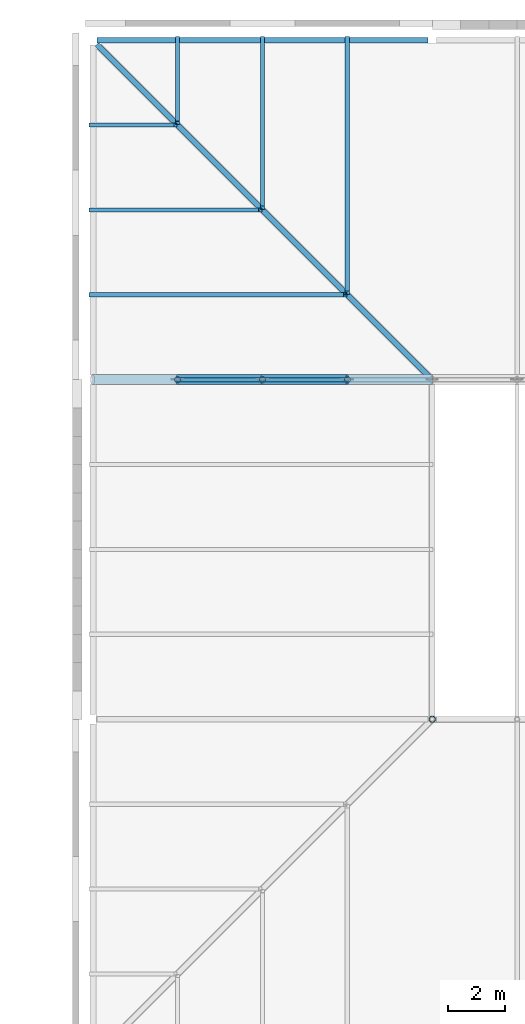
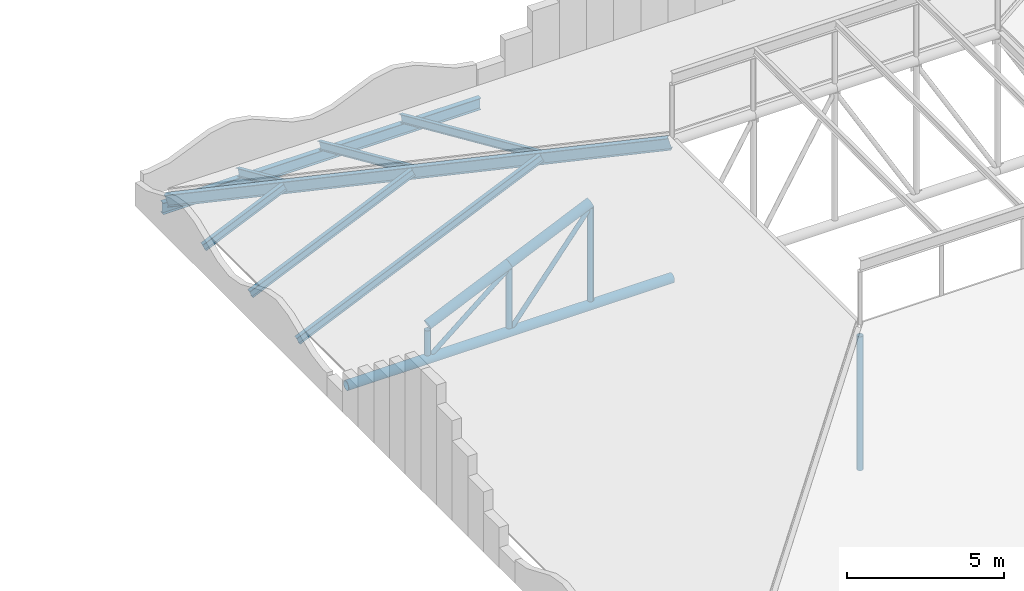
# One storey, part 228 of 321: 15 members, 2 beams.
"""IFC4 building model written with IfcOpenShell, lengths in metres."""

import ifcopenshell
import ifcopenshell.guid

model = None  # the IFC model being written
_history = None  # IfcOwnerHistory: only IFC2X3 demands one
_inside = {}  # id of a spatial element -> (the spatial element, [elements in it])
_under = {}  # id of a project, library or spatial element -> (it, [spatial elements below it])
_declared = {}  # id of a project -> (the project, [libraries it declares])
_typed = {}  # id of a type object -> (the type object, [elements of that type])
_made_of = {}  # id of a material, layer set ... -> (it, [elements and type objects made of it])


def new_model(schema):
    """Start an empty IFC model of exactly this schema.

    Asked for "IFC4X3", IfcOpenShell would pick the latest addendum, in which some entities
    have other attributes; the version numbers below select the first issue.
    IFC2X3 requires an IfcOwnerHistory on every rooted entity: one is made here for all.
    """
    global model, _history
    if schema == "IFC4X3":
        model = ifcopenshell.file(schema_version=(4, 3, 0, 0))
    else:
        model = ifcopenshell.file(schema=schema)
    _inside.clear()
    _under.clear()
    _declared.clear()
    _typed.clear()
    _made_of.clear()
    _history = None
    if model.schema == "IFC2X3":
        org = make("IfcOrganization", Name="unknown")
        user = make(
            "IfcPersonAndOrganization",
            ThePerson=make("IfcPerson", FamilyName="unknown"),
            TheOrganization=org,
        )
        app = make(
            "IfcApplication",
            ApplicationDeveloper=org,
            Version="unknown",
            ApplicationFullName="unknown",
            ApplicationIdentifier="unknown",
        )
        _history = make(
            "IfcOwnerHistory",
            OwningUser=user,
            OwningApplication=app,
            ChangeAction="ADDED",
            CreationDate=0,
        )
    return model


def make(cls, **values):
    """One entity of the class cls with the attributes given. An attribute that is None is left unset."""
    return model.create_entity(
        cls, **{name: value for name, value in values.items() if value is not None}
    )


def rooted(cls, **values):
    """An entity with a GlobalId (a new one), such as an element, a storey or a relation."""
    return make(cls, GlobalId=ifcopenshell.guid.new(), OwnerHistory=_history, **values)


def si_unit(unit_type, name, prefix=None):
    """IfcSIUnit, for example si_unit("LENGTHUNIT", "METRE", prefix="MILLI")."""
    return make("IfcSIUnit", UnitType=unit_type, Prefix=prefix, Name=name)


def assignment(units):
    """IfcUnitAssignment: the units of a project."""
    return None if units is None else make("IfcUnitAssignment", Units=units)


def point(xyz):
    """IfcCartesianPoint."""
    return None if xyz is None else make("IfcCartesianPoint", Coordinates=xyz)


def direction(xyz):
    """IfcDirection."""
    return None if xyz is None else make("IfcDirection", DirectionRatios=xyz)


def frame(location, z_axis=None, x_axis=None):
    """IfcAxis2Placement3D, a coordinate frame: its origin and axes. An axis left out is left unset."""
    return make(
        "IfcAxis2Placement3D",
        Location=point(location),
        Axis=direction(z_axis),
        RefDirection=direction(x_axis),
    )


def frame_2d(location, x_axis=None):
    """IfcAxis2Placement2D, a coordinate frame in the plane: its origin and x axis."""
    return make(
        "IfcAxis2Placement2D", Location=point(location), RefDirection=direction(x_axis)
    )


def origin():
    """The frame at (0, 0, 0) with its axes left unset."""
    return frame((0.0, 0.0, 0.0))


def origin_2d():
    """The frame at (0, 0) in the plane with its x axis left unset."""
    return frame_2d((0.0, 0.0))


def place(relative_to, where):
    """IfcLocalPlacement: puts the frame where relative to a parent placement (None: the world)."""
    return make(
        "IfcLocalPlacement", PlacementRelTo=relative_to, RelativePlacement=where
    )


def context(
    kind, dimensions, precision=None, world=None, true_north=None, identifier=None
):
    """IfcGeometricRepresentationContext, for example the 3D "Model" context."""
    return make(
        "IfcGeometricRepresentationContext",
        ContextIdentifier=identifier,
        ContextType=kind,
        CoordinateSpaceDimension=dimensions,
        Precision=precision,
        WorldCoordinateSystem=world,
        TrueNorth=true_north,
    )


def subcontext(parent, identifier, kind, view, scale=None):
    """IfcGeometricRepresentationSubContext, for example "Body" below "Model"."""
    return make(
        "IfcGeometricRepresentationSubContext",
        ContextIdentifier=identifier,
        ContextType=kind,
        ParentContext=parent,
        TargetScale=scale,
        TargetView=view,
    )


def project(units=None, contexts=None):
    """IfcProject with its units and contexts."""
    return rooted(
        "IfcProject",
        Name="project",
        RepresentationContexts=contexts,
        UnitsInContext=assignment(units),
    )


def spatial(cls, under=None, at=None, **own):
    """A site, building, storey or space (cls), placed at a placement, below another one or the project."""
    s = rooted(cls, ObjectPlacement=at, **own)
    if under is not None:
        _under.setdefault(under.id(), (under, []))[1].append(s)
    return s


def profile(cls, at=None, kind="AREA", **sizes):
    """A parametric profile (cls). Its sizes go by their IFC names, for example OverallWidth=200.0."""
    return make(cls, ProfileType=kind, Position=at, **sizes)


def hollow_circle(**sizes):
    """IfcCircleHollowProfileDef."""
    return profile("IfcCircleHollowProfileDef", **sizes)


def i_section(**sizes):
    """IfcIShapeProfileDef."""
    return profile("IfcIShapeProfileDef", **sizes)


def extrude(swept, where, along, depth):
    """IfcExtrudedAreaSolid: the profile swept, set in the frame where, extruded along a direction by depth."""
    return make(
        "IfcExtrudedAreaSolid",
        SweptArea=swept,
        Position=where,
        ExtrudedDirection=direction(along),
        Depth=depth,
    )


def shape(context_of_items, identifier, shape_type, items):
    """IfcShapeRepresentation: the items that make up one representation, for example the "Body"."""
    return make(
        "IfcShapeRepresentation",
        ContextOfItems=context_of_items,
        RepresentationIdentifier=identifier,
        RepresentationType=shape_type,
        Items=items,
    )


def material(Name=None, Category=None):
    """IfcMaterial."""
    return make("IfcMaterial", Name=Name, Category=Category)


def material_profile(
    of_material, cross_section, Name=None, Category=None, Priority=None
):
    """IfcMaterialProfile: a cross section and its material."""
    return make(
        "IfcMaterialProfile",
        Name=Name,
        Material=of_material,
        Profile=cross_section,
        Priority=Priority,
        Category=Category,
    )


def profile_set(profiles, Name=None, composite=None):
    """IfcMaterialProfileSet."""
    return make(
        "IfcMaterialProfileSet",
        Name=Name,
        MaterialProfiles=profiles,
        CompositeProfile=composite,
    )


def made_of(thing, what):
    """Note that an element or type object is made of a material, layer set ...; save() writes the relation."""
    if what is not None:
        _made_of.setdefault(what.id(), (what, []))[1].append(thing)
    return thing


def type_object(cls, material=None, **own):
    """A type object (cls), such as IfcWallType, which elements share."""
    return made_of(rooted(cls, **own), material)


def element(
    cls,
    number,
    at=None,
    inside=None,
    cuts=None,
    type_object=None,
    material=None,
    context=None,
    identifier="Body",
    shape_type=None,
    held_by="IfcProductDefinitionShape",
    body=None,
    shapes=None,
    **own,
):
    """One element of the class cls, such as IfcWall. Its Tag is "e" and its number.

    at: its placement. inside: the storey or other place that contains it. cuts: it is an
    opening in that element (IfcRelVoidsElement). A single representation is given by context,
    identifier, shape_type and body (its items); several are given by shapes. held_by: the class
    of the entity that holds the representations. save() writes the other relations.
    """
    e = rooted(cls, Tag="e%d" % number, ObjectPlacement=at, **own)
    if body is not None:
        shapes = [shape(context, identifier, shape_type, body)]
    if shapes is not None:
        e.Representation = make(held_by, Representations=shapes)
    if inside is not None:
        _inside.setdefault(inside.id(), (inside, []))[1].append(e)
    if cuts is not None:
        rooted(
            "IfcRelVoidsElement", RelatingBuildingElement=cuts, RelatedOpeningElement=e
        )
    if type_object is not None:
        _typed.setdefault(type_object.id(), (type_object, []))[1].append(e)
    return made_of(e, material)


def aggregate(whole, parts):
    """IfcRelAggregates: a whole, such as a stair, and the parts it consists of."""
    return rooted("IfcRelAggregates", RelatingObject=whole, RelatedObjects=parts)


def save(model, path):
    """Write the relations noted so far, then the file.

    IfcRelAggregates (storeys below a building ...), IfcRelContainedInSpatialStructure (elements
    in a storey), IfcRelDefinesByType, IfcRelAssociatesMaterial and IfcRelDeclares: one each for
    every whole, place, type object, material and project.
    """
    for whole, parts in _under.values():
        aggregate(whole, parts)
    for where, things in _inside.values():
        rooted(
            "IfcRelContainedInSpatialStructure",
            RelatedElements=things,
            RelatingStructure=where,
        )
    for kind, things in _typed.values():
        rooted("IfcRelDefinesByType", RelatedObjects=things, RelatingType=kind)
    for what, things in _made_of.values():
        rooted("IfcRelAssociatesMaterial", RelatedObjects=things, RelatingMaterial=what)
    for by, libraries in _declared.values():
        rooted("IfcRelDeclares", RelatingContext=by, RelatedDefinitions=libraries)
    model.write(path)


model = new_model("IFC4")

# Units and contexts
model_context = context("Model", 3, precision=1e-05, world=origin(), true_north=direction((0.0, 1.0)))
body_context = subcontext(model_context, "Body", "Model", "MODEL_VIEW")
ifc_project = project(units=[si_unit("LENGTHUNIT", "METRE"), si_unit("AREAUNIT", "SQUARE_METRE"), si_unit("VOLUMEUNIT", "CUBIC_METRE"), si_unit("PLANEANGLEUNIT", "RADIAN"), si_unit("MASSUNIT", "GRAM", prefix="KILO")], contexts=[model_context])

# Site, building, storey
site_placement = place(None, origin())
site = spatial("IfcSite", under=ifc_project, at=site_placement, CompositionType="ELEMENT")
building_placement = place(site_placement, origin())
building = spatial("IfcBuilding", under=site, at=building_placement, Name="Ravi Spectrum Wholesale Market", CompositionType="ELEMENT")
storey_placement = place(building_placement, frame((0.0, 0.0, 10.800048828125)))
storey = spatial("IfcBuildingStorey", under=building, at=storey_placement, Name="L02", CompositionType="ELEMENT", Elevation=10.800048828125)

# Members
ifc_material_1 = material(Name="Steel S355", Category="steel")
ifc_material_profile_1 = material_profile(ifc_material_1, hollow_circle(Radius=0.084228515625, WallThickness=0.00634765625, at=origin_2d()))
ifc_profile_set_1 = profile_set([ifc_material_profile_1], Name="Steel S355")
member_type_1 = type_object("IfcMemberType", Name="CHS 168.3x6.3 brace", PredefinedType="BRACE", material=ifc_profile_set_1)
member_1_placement = place(storey_placement, frame((165.0, 222.0, 0.177734375), z_axis=(0.771176073964, 0.0, 0.636621915226), x_axis=(0.0, 1.0, 0.0)))
element("IfcMember", 1, at=member_1_placement, inside=storey, type_object=member_type_1, Name="AU-MB-L02-027", PredefinedType="BRACE", context=body_context, shape_type="SweptSolid", body=[
    extrude(hollow_circle(Radius=0.084228515625, WallThickness=0.00634765625, at=origin_2d()), origin(), (0.0, 0.0, 1.0), 3.89013671875),
])
member_2_placement = place(storey_placement, frame((168.0, 222.0, 0.177734375), z_axis=(0.618488198305, 0.0, 0.785794087886), x_axis=(0.0, 1.0, 0.0)))
element("IfcMember", 2, at=member_2_placement, inside=storey, type_object=member_type_1, Name="AU-MB-L02-028", PredefinedType="BRACE", context=body_context, shape_type="SweptSolid", body=[
    extrude(hollow_circle(Radius=0.084228515625, WallThickness=0.00634765625, at=origin_2d()), origin(), (0.0, 0.0, 1.0), 4.8505859375),
])
ifc_material_2 = material(Name="Steel S355", Category="steel")
ifc_material_profile_2 = material_profile(ifc_material_2, hollow_circle(Radius=0.109619140625, WallThickness=0.008056640625, at=origin_2d()))
ifc_profile_set_2 = profile_set([ifc_material_profile_2], Name="Steel S355")
member_type_2 = type_object("IfcMemberType", Name="CHS 219.1x8 post", PredefinedType="POST", material=ifc_profile_set_2)
member_3_placement = place(storey_placement, frame((165.0, 222.0, 0.35546875), z_axis=(0.0, 0.0, 1.0), x_axis=(1.0, 0.0, 0.0)))
element("IfcMember", 3, at=member_3_placement, inside=storey, type_object=member_type_2, Name="AU-MB-L02-016", PredefinedType="POST", context=body_context, shape_type="SweptSolid", body=[
    extrude(hollow_circle(Radius=0.109619140625, WallThickness=0.008056640625, at=origin_2d()), origin(), (0.0, 0.0, 1.0), 0.963623046875),
])
member_4_placement = place(storey_placement, frame((168.0, 222.0, 0.35546875), z_axis=(0.0, 0.0, 1.0), x_axis=(1.0, 0.0, 0.0)))
element("IfcMember", 4, at=member_4_placement, inside=storey, type_object=member_type_2, Name="AU-MB-L02-017", PredefinedType="POST", context=body_context, shape_type="SweptSolid", body=[
    extrude(hollow_circle(Radius=0.109619140625, WallThickness=0.008056640625, at=origin_2d()), origin(), (0.0, 0.0, 1.0), 2.298828125),
])
member_5_placement = place(storey_placement, frame((171.0, 222.0, 0.35546875), z_axis=(0.0, 0.0, 1.0), x_axis=(1.0, 0.0, 0.0)))
element("IfcMember", 5, at=member_5_placement, inside=storey, type_object=member_type_2, Name="AU-MB-L02-018", PredefinedType="POST", context=body_context, shape_type="SweptSolid", body=[
    extrude(hollow_circle(Radius=0.109619140625, WallThickness=0.008056640625, at=origin_2d()), origin(), (0.0, 0.0, 1.0), 3.6337890625),
])
member_6_placement = place(storey_placement, frame((174.0, 210.0, 0.0), z_axis=(0.0, 0.0, 1.0), x_axis=(1.0, 0.0, 0.0)))
element("IfcMember", 6, at=member_6_placement, inside=storey, type_object=member_type_2, Name="AU-MB-L02-073", PredefinedType="POST", context=body_context, shape_type="SweptSolid", body=[
    extrude(hollow_circle(Radius=0.109619140625, WallThickness=0.008056640625, at=origin_2d()), origin(), (0.0, 0.0, 1.0), 5.218505859375),
])
ifc_material_3 = material(Name="Steel S355", Category="steel")
ifc_material_profile_3 = material_profile(ifc_material_3, hollow_circle(Radius=0.177734375, WallThickness=0.012451171875, at=origin_2d()))
ifc_profile_set_3 = profile_set([ifc_material_profile_3], Name="Steel S355")
member_type_3 = type_object("IfcMemberType", Name="CHS 355.6x12.5 chord", PredefinedType="CHORD", material=ifc_profile_set_3)
member_7_placement = place(storey_placement, frame((162.0, 222.0, 0.177734375), z_axis=(1.0, 0.0, 0.0), x_axis=(0.0, 1.0, 0.0)))
element("IfcMember", 7, at=member_7_placement, inside=storey, type_object=member_type_3, Name="AU-MB-L02-001", PredefinedType="CHORD", context=body_context, shape_type="SweptSolid", body=[
    extrude(hollow_circle(Radius=0.177734375, WallThickness=0.012451171875, at=origin_2d()), origin(), (0.0, 0.0, 1.0), 12.0),
])
for number, where, z_axis, x_axis, name in (
    (8, (165.0, 222.0, 1.496826171875), (0.91359987507, 0.0, 0.406614397522), (0.0, 1.0, 0.0), "AU-MB-L02-005"),
    (9, (168.0, 222.0, 2.83203125), (0.913627493157, 0.0, 0.406552338264), (0.0, 1.0, 0.0), "AU-MB-L02-006"),
):
    element("IfcMember", number, at=place(storey_placement, frame(where, z_axis=z_axis, x_axis=x_axis)), inside=storey, type_object=member_type_3, Name=name, PredefinedType="CHORD", context=body_context, shape_type="SweptSolid", body=[
        extrude(hollow_circle(Radius=0.177734375, WallThickness=0.012451171875, at=origin_2d()), origin(), (0.0, 0.0, 1.0), 3.28369140625),
    ])
ifc_material_4 = material(Name="Steel S355", Category="steel")
ifc_material_profile_4 = material_profile(ifc_material_4, i_section(OverallWidth=0.14990234375, OverallDepth=0.300048828125, WebThickness=0.007080078125, FlangeThickness=0.0107421875, at=origin_2d()))
ifc_profile_set_4 = profile_set([ifc_material_profile_4], Name="Steel S355")
member_type_4 = type_object("IfcMemberType", Name="IPE 300 rafter", PredefinedType="RAFTER", material=ifc_profile_set_4)
member_8_placement = place(storey_placement, frame((161.93896484375, 225.0, 0.136962890625), z_axis=(0.913615976302, 0.0, 0.406578218606), x_axis=(0.0, 1.0, 0.0)))
element("IfcMember", 10, at=member_8_placement, inside=storey, type_object=member_type_4, Name="AU-MB-L02-049", PredefinedType="RAFTER", context=body_context, shape_type="SweptSolid", body=[
    extrude(i_section(OverallWidth=0.14990234375, OverallDepth=0.300048828125, WebThickness=0.007080078125, FlangeThickness=0.0107421875, at=origin_2d()), origin(), (0.0, 0.0, 1.0), 9.837646484375),
])
member_9_placement = place(storey_placement, frame((161.93896484375, 228.0, 0.136962890625), z_axis=(0.913624043006, 0.0, 0.40656009155), x_axis=(0.0, 1.0, 0.0)))
element("IfcMember", 11, at=member_9_placement, inside=storey, type_object=member_type_4, Name="AU-MB-L02-051", PredefinedType="RAFTER", context=body_context, shape_type="SweptSolid", body=[
    extrude(i_section(OverallWidth=0.14990234375, OverallDepth=0.300048828125, WebThickness=0.007080078125, FlangeThickness=0.0107421875, at=origin_2d()), origin(), (0.0, 0.0, 1.0), 6.553955078125),
])
for number, where, z_axis, x_axis, name in (
    (12, (161.93896484375, 231.0, 0.136962890625), (0.913620578719, 0.0, 0.406567876426), (0.0, 1.0, 0.0), "AU-MB-L02-053"),
    (13, (165.0, 234.06103515625, 0.136962890625), (0.0, -0.913620578719, 0.406567876426), (1.0, 0.0, 0.0), "AU-MB-L02-056"),
):
    element("IfcMember", number, at=place(storey_placement, frame(where, z_axis=z_axis, x_axis=x_axis)), inside=storey, type_object=member_type_4, Name=name, PredefinedType="RAFTER", context=body_context, shape_type="SweptSolid", body=[
        extrude(i_section(OverallWidth=0.14990234375, OverallDepth=0.300048828125, WebThickness=0.007080078125, FlangeThickness=0.0107421875, at=origin_2d()), origin(), (0.0, 0.0, 1.0), 3.270263671875),
    ])
member_10_placement = place(storey_placement, frame((168.0, 234.06103515625, 0.136962890625), z_axis=(0.0, -0.913624043006, 0.40656009155), x_axis=(1.0, 0.0, 0.0)))
element("IfcMember", 14, at=member_10_placement, inside=storey, type_object=member_type_4, Name="AU-MB-L02-058", PredefinedType="RAFTER", context=body_context, shape_type="SweptSolid", body=[
    extrude(i_section(OverallWidth=0.14990234375, OverallDepth=0.300048828125, WebThickness=0.007080078125, FlangeThickness=0.0107421875, at=origin_2d()), origin(), (0.0, 0.0, 1.0), 6.553955078125),
])
member_11_placement = place(storey_placement, frame((171.0, 234.06103515625, 0.136962890625), z_axis=(0.0, -0.913615976302, 0.406578218606), x_axis=(1.0, 0.0, 0.0)))
element("IfcMember", 15, at=member_11_placement, inside=storey, type_object=member_type_4, Name="AU-MB-L02-060", PredefinedType="RAFTER", context=body_context, shape_type="SweptSolid", body=[
    extrude(i_section(OverallWidth=0.14990234375, OverallDepth=0.300048828125, WebThickness=0.007080078125, FlangeThickness=0.0107421875, at=origin_2d()), origin(), (0.0, 0.0, 1.0), 9.837646484375),
])

# Beams
ifc_material_5 = material(Name="Steel S355", Category="steel")
ifc_material_profile_5 = material_profile(ifc_material_5, i_section(OverallWidth=0.18994140625, OverallDepth=0.449951171875, WebThickness=0.009521484375, FlangeThickness=0.0146484375, at=origin_2d()))
ifc_profile_set_5 = profile_set([ifc_material_profile_5], Name="Steel S355")
beam_type = type_object("IfcBeamType", Name="IPE 450 girder", PredefinedType="BEAM", material=ifc_profile_set_5)
beam_1_placement = place(storey_placement, frame((162.14990234375, 234.0, -0.22509765625), z_axis=(1.0, 0.0, 0.0), x_axis=(0.0, 1.0, 0.0)))
element("IfcBeam", 16, at=beam_1_placement, inside=storey, type_object=beam_type, Name="AU-BM-L02-004", PredefinedType="BEAM", context=body_context, shape_type="SweptSolid", body=[
    extrude(i_section(OverallWidth=0.18994140625, OverallDepth=0.449951171875, WebThickness=0.009521484375, FlangeThickness=0.0146484375, at=origin_2d()), origin(), (0.0, 0.0, 1.0), 11.7001953125),
])
beam_2_placement = place(storey_placement, frame((162.19775390625, 233.80224609375, 0.180419921875), z_axis=(0.674499456872, -0.674499456872, 0.300168228429), x_axis=(0.707106781187, 0.707106781187, 0.0)))
element("IfcBeam", 17, at=beam_2_placement, inside=storey, type_object=beam_type, Name="AU-BM-L02-019", PredefinedType="BEAM", context=body_context, shape_type="SweptSolid", body=[
    extrude(i_section(OverallWidth=0.18994140625, OverallDepth=0.449951171875, WebThickness=0.009521484375, FlangeThickness=0.0146484375, at=origin_2d()), origin(), (0.0, 0.0, 1.0), 17.427490234375),
])

save(model, "model.ifc")
